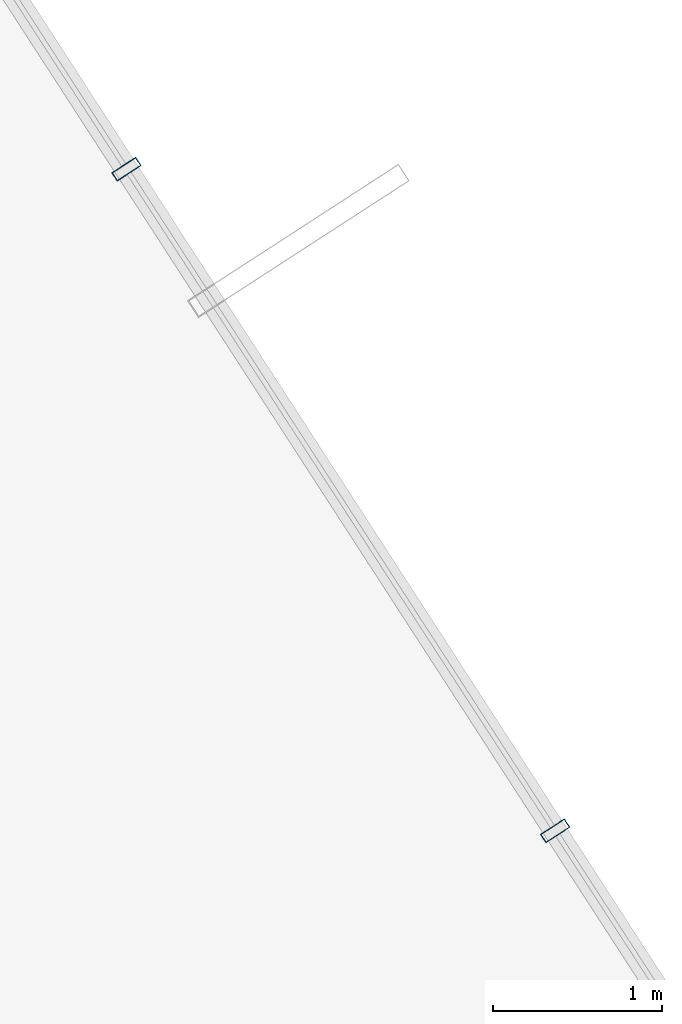
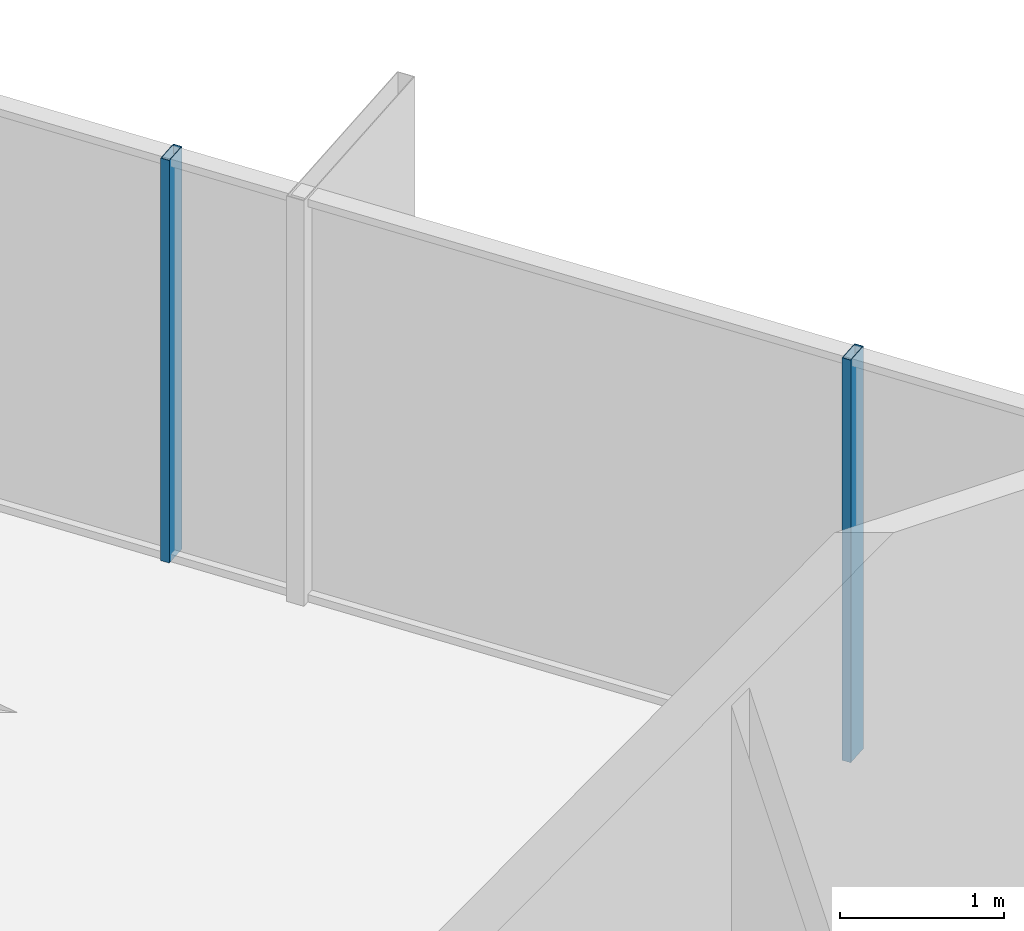
# One storey, part 29 of 37: 2 members, 1 element without a shape of its own.
"""IFC4 building model written with IfcOpenShell, lengths in metres."""

from ifc_helpers import new_model, si_unit, direction, frame, origin, origin_2d, place, context, subcontext, project, spatial, hollow_rectangle, extrude, source, transform, mapped, material, layer, layer_set, material_profile, profile_set, type_object, element, aggregate, save


model = new_model("IFC4")

# Units and contexts
model_context = context("Model", 3, precision=1e-05, world=origin(), true_north=direction((0.0, 1.0)))
body_context = subcontext(model_context, "Body", "Model", "MODEL_VIEW")
ifc_project = project(units=[si_unit("LENGTHUNIT", "METRE"), si_unit("AREAUNIT", "SQUARE_METRE"), si_unit("VOLUMEUNIT", "CUBIC_METRE"), si_unit("PLANEANGLEUNIT", "RADIAN"), si_unit("MASSUNIT", "GRAM", prefix="KILO")], contexts=[model_context])

# Site, building, storey
site_placement = place(None, origin())
site = spatial("IfcSite", under=ifc_project, at=site_placement, CompositionType="ELEMENT")
building_placement = place(site_placement, origin())
building = spatial("IfcBuilding", under=site, at=building_placement, Name="Veraguas Prism Commons", CompositionType="ELEMENT")
storey_placement = place(building_placement, frame((0.0, 0.0, 33.800048828125)))
storey = spatial("IfcBuildingStorey", under=building, at=storey_placement, Name="L08", CompositionType="ELEMENT", Elevation=33.800048828125)

# Curtain wall, members
ifc_material = material(Name="Anodised aluminium EN AW-6063 T6", Category="aluminium")
ifc_layer = layer(ifc_material, 0.169921875, Name="Unitised Flush Curtain Wall Zone 1", Category="aluminium")
ifc_layer_set = layer_set([ifc_layer], Name="Anodised aluminium EN AW-6063 T6")
curtain_wall_type = type_object("IfcCurtainWallType", Name="Unitised Flush Curtain Wall Zone 1", PredefinedType="NOTDEFINED", material=ifc_layer_set)
curtain_wall_placement = place(storey_placement, origin())
curtain_wall = element("IfcCurtainWall", 1, at=curtain_wall_placement, inside=storey, type_object=curtain_wall_type, Name="Tower Facade Curtain Wall L08-F1", PredefinedType="NOTDEFINED")
ifc_material_profile = material_profile(ifc_material, hollow_rectangle(XDim=0.06005859375, YDim=0.169921875, WallThickness=0.00390625, at=origin_2d()), Name="AL60X170X4")
ifc_profile_set = profile_set([ifc_material_profile], Name="Anodised aluminium EN AW-6063 T6")
member_type = type_object("IfcMemberType", Name="Curtain Wall Mullion Lower AL 60x170x4", PredefinedType="MULLION", material=ifc_profile_set)
shared_shape = source(origin(), body_context, "Body", "SweptSolid", [
    extrude(hollow_rectangle(XDim=0.06005859375, YDim=0.169921875, WallThickness=0.00390625, at=origin_2d()), origin(), (0.0, 0.0, 1.0), 3.0),
])
member_1_placement = place(storey_placement, frame((41.443359375, 35.3017578125, 0.0), z_axis=(0.0, 0.0, 1.0), x_axis=(-0.543766341769, 0.839236656468, 0.0)))
member_1 = element("IfcMember", 2, at=member_1_placement, type_object=member_type, Name="CW-Z1 Mullion 3", PredefinedType="MULLION", context=body_context, shape_type="MappedRepresentation", body=[
    mapped(shared_shape, transform((0.0, 0.0, 0.0), scale=1.0)),
])
member_2_placement = place(storey_placement, frame((38.9033203125, 39.221923828125, 0.0), z_axis=(0.0, 0.0, 1.0), x_axis=(-0.543766341769, 0.839236656468, 0.0)))
member_2 = element("IfcMember", 3, at=member_2_placement, type_object=member_type, Name="CW-Z1 Mullion 4", PredefinedType="MULLION", context=body_context, shape_type="MappedRepresentation", body=[
    mapped(shared_shape, transform((0.0, 0.0, 0.0), scale=1.0)),
])
aggregate(curtain_wall, [member_1, member_2])

save(model, "model.ifc")
